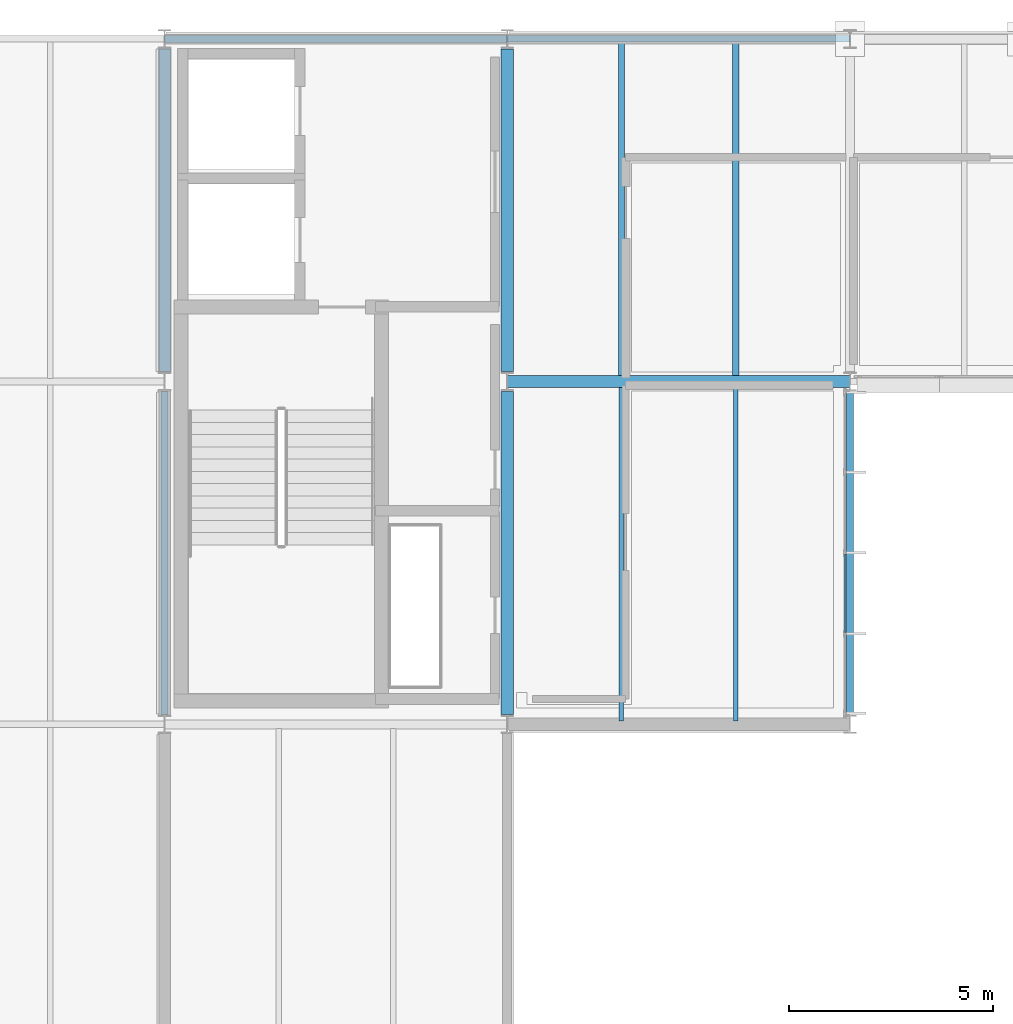
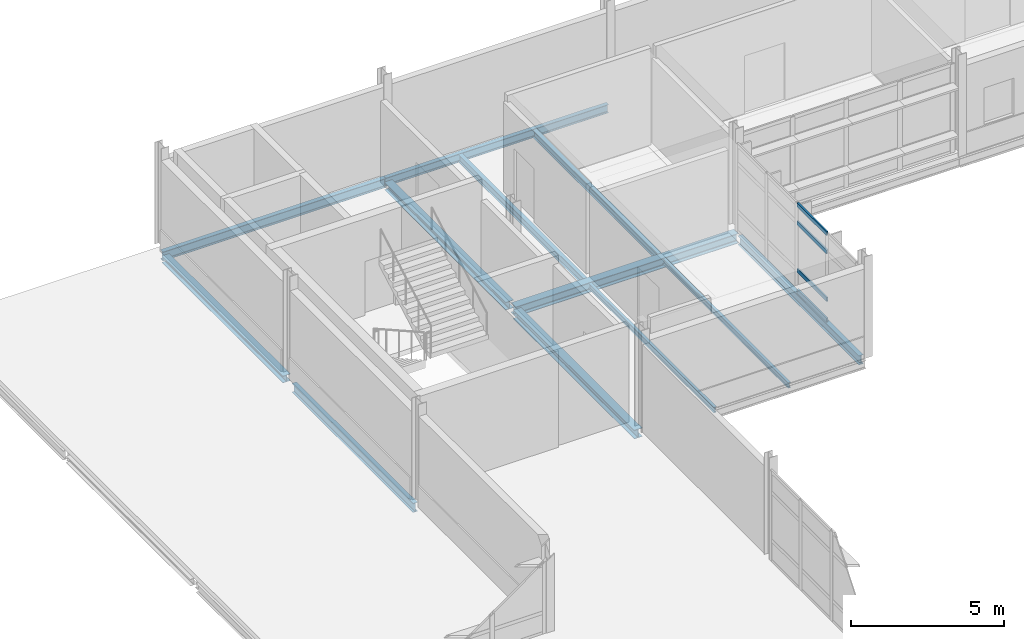
# One storey, part 48 of 131: 12 beams, 4 members, 1 element without a shape of its own.
"""IFC4 building model written with IfcOpenShell, lengths in metres."""

from ifc_helpers import new_model, si_unit, direction, frame, origin, origin_2d, place, context, subcontext, project, spatial, hollow_rectangle, i_section, extrude, material, material_profile, profile_set, type_object, element, aggregate, save


model = new_model("IFC4")

# Units and contexts
model_context = context("Model", 3, precision=1e-05, world=origin(), true_north=direction((0.0, 1.0)))
body_context = subcontext(model_context, "Body", "Model", "MODEL_VIEW")
ifc_project = project(units=[si_unit("LENGTHUNIT", "METRE"), si_unit("AREAUNIT", "SQUARE_METRE"), si_unit("VOLUMEUNIT", "CUBIC_METRE"), si_unit("PLANEANGLEUNIT", "RADIAN"), si_unit("MASSUNIT", "GRAM", prefix="KILO")], contexts=[model_context])

# Site, building, storey
site_placement = place(None, origin())
site = spatial("IfcSite", under=ifc_project, at=site_placement, CompositionType="ELEMENT")
building_placement = place(site_placement, origin())
building = spatial("IfcBuilding", under=site, at=building_placement, Name="Mersafa Astral City Hall", CompositionType="ELEMENT")
storey_placement = place(building_placement, frame((0.0, 0.0, 13.949951171875)))
storey = spatial("IfcBuildingStorey", under=building, at=storey_placement, Name="L03", CompositionType="ELEMENT", Elevation=13.949951171875)

# Curtain wall, members
ifc_material_1 = material(Name="Anodised bronze aluminium framing", Category="aluminium")
curtain_wall_type = type_object("IfcCurtainWallType", Name="ENV-CW-5", PredefinedType="USERDEFINED", material=ifc_material_1)
curtain_wall_placement = place(storey_placement, origin())
curtain_wall = element("IfcCurtainWall", 1, at=curtain_wall_placement, inside=storey, type_object=curtain_wall_type, Name="L03 Unitised solar curtain wall 178", ObjectType="UNITISED CURTAIN WALL", PredefinedType="USERDEFINED")
ifc_material_profile_1 = material_profile(ifc_material_1, hollow_rectangle(XDim=0.06005859375, YDim=0.159912109375, WallThickness=0.00390625, at=origin_2d()), Name="RHS 60x160x4")
ifc_profile_set_1 = profile_set([ifc_material_profile_1], Name="Anodised bronze aluminium framing")
member_type = type_object("IfcMemberType", Name="ENV-CW-TRN-2", PredefinedType="USERDEFINED", material=ifc_profile_set_1)
member_1_placement = place(storey_placement, frame((58.679931640625, 111.448486328125, 0.028076171875), z_axis=(0.0, 1.0, 0.0), x_axis=(-1.0, 0.0, 0.0)))
member_1 = element("IfcMember", 2, at=member_1_placement, type_object=member_type, Name="CW-5 transom 2.1", ObjectType="TRANSOM", PredefinedType="USERDEFINED", context=body_context, shape_type="SweptSolid", body=[
    extrude(hollow_rectangle(XDim=0.06005859375, YDim=0.159912109375, WallThickness=0.00390625, at=origin_2d()), origin(), (0.0, 0.0, 1.0), 1.921630859375),
])
member_2_placement = place(storey_placement, frame((58.679931640625, 111.448486328125, 0.85009765625), z_axis=(0.0, 1.0, 0.0), x_axis=(-1.0, 0.0, 0.0)))
member_2 = element("IfcMember", 3, at=member_2_placement, type_object=member_type, Name="CW-5 transom 2.2", ObjectType="TRANSOM", PredefinedType="USERDEFINED", context=body_context, shape_type="SweptSolid", body=[
    extrude(hollow_rectangle(XDim=0.06005859375, YDim=0.159912109375, WallThickness=0.00390625, at=origin_2d()), origin(), (0.0, 0.0, 1.0), 1.921630859375),
])
member_3_placement = place(storey_placement, frame((58.679931640625, 111.448486328125, 2.75), z_axis=(0.0, 1.0, 0.0), x_axis=(-1.0, 0.0, 0.0)))
member_3 = element("IfcMember", 4, at=member_3_placement, type_object=member_type, Name="CW-5 transom 2.3", ObjectType="TRANSOM", PredefinedType="USERDEFINED", context=body_context, shape_type="SweptSolid", body=[
    extrude(hollow_rectangle(XDim=0.06005859375, YDim=0.159912109375, WallThickness=0.00390625, at=origin_2d()), origin(), (0.0, 0.0, 1.0), 1.921630859375),
])
member_4_placement = place(storey_placement, frame((58.679931640625, 111.448486328125, 3.47216796875), z_axis=(0.0, 1.0, 0.0), x_axis=(-1.0, 0.0, 0.0)))
member_4 = element("IfcMember", 5, at=member_4_placement, type_object=member_type, Name="CW-5 transom 2.4", ObjectType="TRANSOM", PredefinedType="USERDEFINED", context=body_context, shape_type="SweptSolid", body=[
    extrude(hollow_rectangle(XDim=0.06005859375, YDim=0.159912109375, WallThickness=0.00390625, at=origin_2d()), origin(), (0.0, 0.0, 1.0), 1.921630859375),
])
aggregate(curtain_wall, [member_1, member_2, member_3, member_4])

# Beams
ifc_material_2 = material(Name="Steel S355", Category="steel")
ifc_material_profile_2 = material_profile(ifc_material_2, i_section(OverallWidth=0.300048828125, OverallDepth=0.31005859375, WebThickness=0.009033203125, FlangeThickness=0.015380859375, FilletRadius=0.027099609375, at=origin_2d()), Name="HEA 320")
ifc_profile_set_2 = profile_set([ifc_material_profile_2], Name="Steel S355")
beam_type_1 = type_object("IfcBeamType", Name="STR-BM-HEA320", PredefinedType="BEAM", material=ifc_profile_set_2)
beam_1_placement = place(storey_placement, frame((50.39990234375, 117.844970703125, -0.35498046875), z_axis=(0.0, 1.0, 0.0), x_axis=(-1.0, 0.0, 0.0)))
element("IfcBeam", 6, at=beam_1_placement, inside=storey, type_object=beam_type_1, Name="L03 Primary girder Y 6-14", PredefinedType="BEAM", context=body_context, shape_type="SweptSolid", body=[
    extrude(i_section(OverallWidth=0.300048828125, OverallDepth=0.31005859375, WebThickness=0.009033203125, FlangeThickness=0.015380859375, FilletRadius=0.027099609375, at=origin_2d()), origin(), (0.0, 0.0, 1.0), 7.909912109375),
])
ifc_material_profile_3 = material_profile(ifc_material_2, i_section(OverallWidth=0.300048828125, OverallDepth=0.35009765625, WebThickness=0.010009765625, FlangeThickness=0.017578125, FilletRadius=0.027099609375, at=origin_2d()), Name="HEA 360")
ifc_profile_set_3 = profile_set([ifc_material_profile_3], Name="Steel S355")
beam_type_2 = type_object("IfcBeamType", Name="STR-BM-HEA360", PredefinedType="BEAM", material=ifc_profile_set_3)
beam_2_placement = place(storey_placement, frame((50.39990234375, 109.445068359375, -0.375), z_axis=(0.0, 1.0, 0.0), x_axis=(-1.0, 0.0, 0.0)))
element("IfcBeam", 7, at=beam_2_placement, inside=storey, type_object=beam_type_2, Name="L03 Primary girder Y 6-13", PredefinedType="BEAM", context=body_context, shape_type="SweptSolid", body=[
    extrude(i_section(OverallWidth=0.300048828125, OverallDepth=0.35009765625, WebThickness=0.010009765625, FlangeThickness=0.017578125, FilletRadius=0.027099609375, at=origin_2d()), origin(), (0.0, 0.0, 1.0), 7.909912109375),
])
ifc_material_profile_4 = material_profile(ifc_material_2, i_section(OverallWidth=0.300048828125, OverallDepth=0.389892578125, WebThickness=0.010986328125, FlangeThickness=0.01904296875, FilletRadius=0.027099609375, at=origin_2d()), Name="HEA 400")
ifc_profile_set_4 = profile_set([ifc_material_profile_4], Name="Steel S355")
beam_type_3 = type_object("IfcBeamType", Name="STR-BM-HEA400", PredefinedType="BEAM", material=ifc_profile_set_4)
beam_3_placement = place(storey_placement, frame((50.403076171875, 117.60009765625, -0.39501953125), z_axis=(1.0, 0.0, 0.0), x_axis=(0.0, 1.0, 0.0)))
element("IfcBeam", 8, at=beam_3_placement, inside=storey, type_object=beam_type_3, Name="L03 Primary girder X 6-14", PredefinedType="BEAM", context=body_context, shape_type="SweptSolid", body=[
    extrude(i_section(OverallWidth=0.300048828125, OverallDepth=0.389892578125, WebThickness=0.010986328125, FlangeThickness=0.01904296875, FilletRadius=0.027099609375, at=origin_2d()), origin(), (0.0, 0.0, 1.0), 8.39404296875),
])
ifc_material_profile_5 = material_profile(ifc_material_2, i_section(OverallWidth=0.110107421875, OverallDepth=0.219970703125, WebThickness=0.005859375, FlangeThickness=0.00927734375, FilletRadius=0.011962890625, at=origin_2d()), Name="IPE 220")
ifc_profile_set_5 = profile_set([ifc_material_profile_5], Name="Steel S355")
beam_type_4 = type_object("IfcBeamType", Name="STR-BM-JOIST-IPE220", PredefinedType="JOIST", material=ifc_profile_set_5)
for number, where, z_axis, x_axis, name in (
    (9, (53.199951171875, 109.27490234375, -0.31005859375), (0.0, 1.0, 0.0), (-1.0, 0.0, 0.0), "L03 Composite secondary floor joist 570"),
    (10, (56.0, 109.27490234375, -0.31005859375), (0.0, 1.0, 0.0), (-1.0, 0.0, 0.0), "L03 Composite secondary floor joist 571"),
):
    element("IfcBeam", number, at=place(storey_placement, frame(where, z_axis=z_axis, x_axis=x_axis)), inside=storey, type_object=beam_type_4, Name=name, PredefinedType="JOIST", context=body_context, shape_type="SweptSolid", body=[
        extrude(i_section(OverallWidth=0.110107421875, OverallDepth=0.219970703125, WebThickness=0.005859375, FlangeThickness=0.00927734375, FilletRadius=0.011962890625, at=origin_2d()), origin(), (0.0, 0.0, 1.0), 8.18017578125),
    ])
ifc_material_profile_6 = material_profile(ifc_material_2, i_section(OverallWidth=0.14990234375, OverallDepth=0.300048828125, WebThickness=0.007080078125, FlangeThickness=0.0107421875, FilletRadius=0.014892578125, at=origin_2d()), Name="IPE 300")
ifc_profile_set_6 = profile_set([ifc_material_profile_6], Name="Steel S355")
beam_type_5 = type_object("IfcBeamType", Name="STR-BM-JOIST-IPE300", PredefinedType="JOIST", material=ifc_profile_set_6)
for number, where, z_axis, x_axis, name in (
    (11, (53.199951171875, 117.7451171875, -0.349853515625), (0.0, 1.0, 0.0), (-1.0, 0.0, 0.0), "L03 Composite secondary floor joist 572"),
    (12, (56.0, 117.7451171875, -0.349853515625), (0.0, 1.0, 0.0), (-1.0, 0.0, 0.0), "L03 Composite secondary floor joist 573"),
):
    element("IfcBeam", number, at=place(storey_placement, frame(where, z_axis=z_axis, x_axis=x_axis)), inside=storey, type_object=beam_type_5, Name=name, PredefinedType="JOIST", context=body_context, shape_type="SweptSolid", body=[
        extrude(i_section(OverallWidth=0.14990234375, OverallDepth=0.300048828125, WebThickness=0.007080078125, FlangeThickness=0.0107421875, FilletRadius=0.014892578125, at=origin_2d()), origin(), (0.0, 0.0, 1.0), 8.179931640625),
    ])
ifc_material_profile_7 = material_profile(ifc_material_2, i_section(OverallWidth=0.280029296875, OverallDepth=0.27001953125, WebThickness=0.008056640625, FlangeThickness=0.012939453125, FilletRadius=0.02392578125, at=origin_2d()), Name="HEA 280")
ifc_profile_set_7 = profile_set([ifc_material_profile_7], Name="Steel S355")
beam_type_6 = type_object("IfcBeamType", Name="STR-BM-SPANDREL-HEA280", PredefinedType="SPANDREL", material=ifc_profile_set_7)
beam_4_placement = place(storey_placement, frame((42.0, 117.844970703125, -0.3349609375), z_axis=(0.0, 1.0, 0.0), x_axis=(-1.0, 0.0, 0.0)))
element("IfcBeam", 13, at=beam_4_placement, inside=storey, type_object=beam_type_6, Name="L03 Primary girder Y 5-14", PredefinedType="SPANDREL", context=body_context, shape_type="SweptSolid", body=[
    extrude(i_section(OverallWidth=0.280029296875, OverallDepth=0.27001953125, WebThickness=0.008056640625, FlangeThickness=0.012939453125, FilletRadius=0.02392578125, at=origin_2d()), origin(), (0.0, 0.0, 1.0), 7.909912109375),
])
ifc_material_profile_8 = material_profile(ifc_material_2, i_section(OverallWidth=0.159912109375, OverallDepth=0.330078125, WebThickness=0.007568359375, FlangeThickness=0.011474609375, FilletRadius=0.01806640625, at=origin_2d()), Name="IPE 330")
ifc_profile_set_8 = profile_set([ifc_material_profile_8], Name="Steel S355")
beam_type_7 = type_object("IfcBeamType", Name="STR-BM-SPANDREL-IPE330", PredefinedType="SPANDREL", material=ifc_profile_set_8)
beam_5_placement = place(storey_placement, frame((50.403076171875, 126.0, -0.364990234375), z_axis=(1.0, 0.0, 0.0), x_axis=(0.0, 1.0, 0.0)))
element("IfcBeam", 14, at=beam_5_placement, inside=storey, type_object=beam_type_7, Name="L03 Primary girder X 6-15", PredefinedType="SPANDREL", context=body_context, shape_type="SweptSolid", body=[
    extrude(i_section(OverallWidth=0.159912109375, OverallDepth=0.330078125, WebThickness=0.007568359375, FlangeThickness=0.011474609375, FilletRadius=0.01806640625, at=origin_2d()), origin(), (0.0, 0.0, 1.0), 8.39404296875),
])
ifc_material_profile_9 = material_profile(ifc_material_2, i_section(OverallWidth=0.169921875, OverallDepth=0.360107421875, WebThickness=0.008056640625, FlangeThickness=0.0126953125, FilletRadius=0.01806640625, at=origin_2d()), Name="IPE 360")
ifc_profile_set_9 = profile_set([ifc_material_profile_9], Name="Steel S355")
beam_type_8 = type_object("IfcBeamType", Name="STR-BM-SPANDREL-IPE360", PredefinedType="SPANDREL", material=ifc_profile_set_9)
beam_6_placement = place(storey_placement, frame((42.0029296875, 126.0, -0.3798828125), z_axis=(1.0, 0.0, 0.0), x_axis=(0.0, 1.0, 0.0)))
element("IfcBeam", 15, at=beam_6_placement, inside=storey, type_object=beam_type_8, Name="L03 Primary girder X 5-15", PredefinedType="SPANDREL", context=body_context, shape_type="SweptSolid", body=[
    extrude(i_section(OverallWidth=0.169921875, OverallDepth=0.360107421875, WebThickness=0.008056640625, FlangeThickness=0.0126953125, FilletRadius=0.01806640625, at=origin_2d()), origin(), (0.0, 0.0, 1.0), 8.39404296875),
])
for number, where, z_axis, x_axis, name in (
    (16, (42.0, 109.445068359375, -0.3798828125), (0.0, 1.0, 0.0), (-1.0, 0.0, 0.0), "L03 Primary girder Y 5-13"),
    (17, (58.800048828125, 109.445068359375, -0.3798828125), (0.0, 1.0, 0.0), (-1.0, 0.0, 0.0), "L03 Primary girder Y 7-13"),
):
    element("IfcBeam", number, at=place(storey_placement, frame(where, z_axis=z_axis, x_axis=x_axis)), inside=storey, type_object=beam_type_8, Name=name, PredefinedType="SPANDREL", context=body_context, shape_type="SweptSolid", body=[
        extrude(i_section(OverallWidth=0.169921875, OverallDepth=0.360107421875, WebThickness=0.008056640625, FlangeThickness=0.0126953125, FilletRadius=0.01806640625, at=origin_2d()), origin(), (0.0, 0.0, 1.0), 7.909912109375),
    ])

save(model, "model.ifc")
